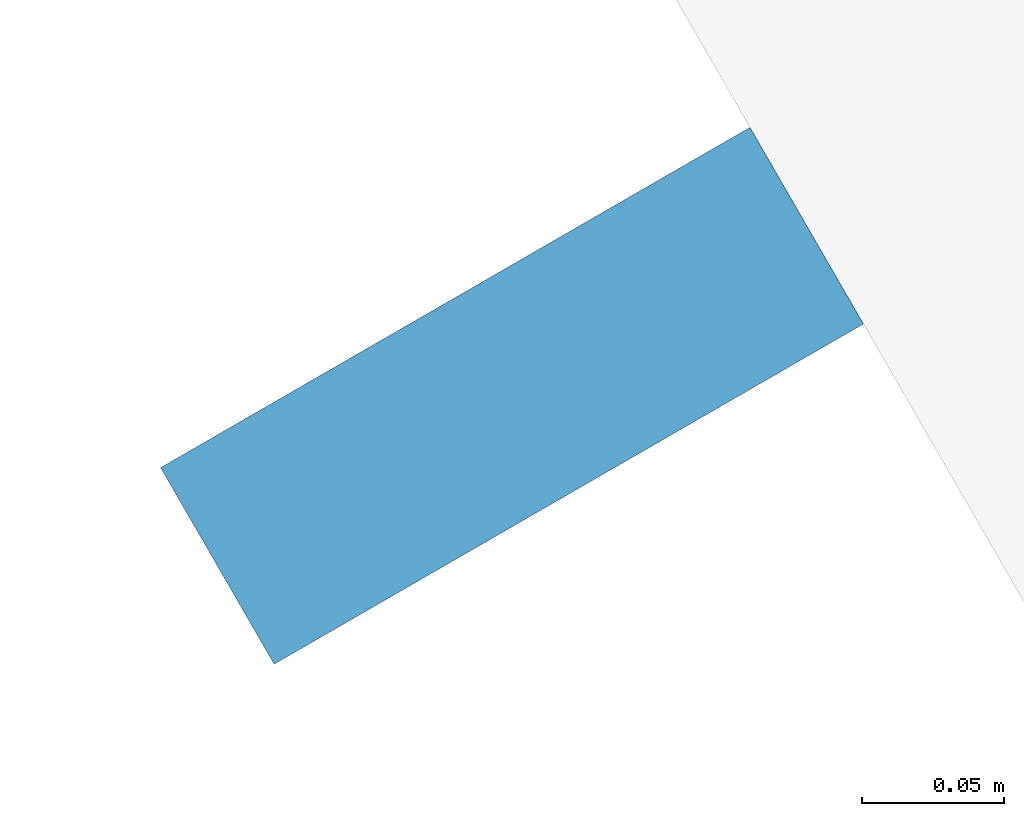
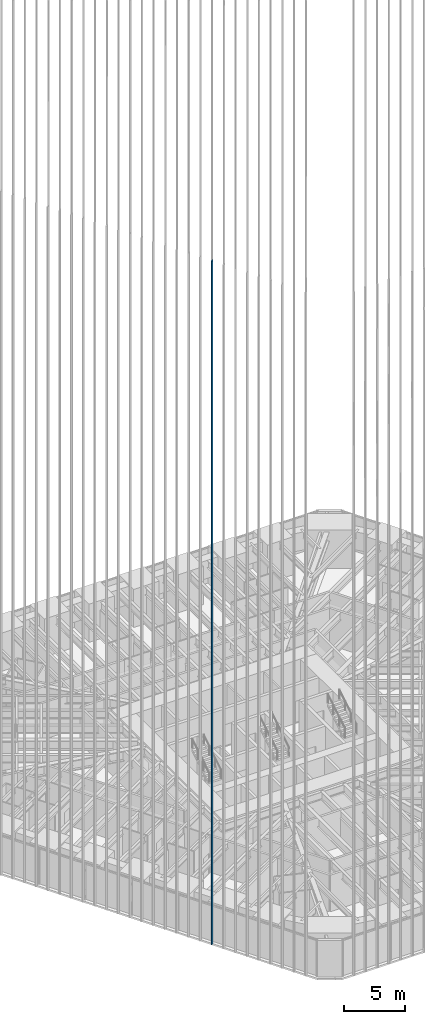
# One storey, part 5 of 256: 1 member, 1 element without a shape of its own.
"""IFC4 building model written with IfcOpenShell, lengths in metres."""

import ifcopenshell
import ifcopenshell.guid

model = None  # the IFC model being written
_history = None  # IfcOwnerHistory: only IFC2X3 demands one
_inside = {}  # id of a spatial element -> (the spatial element, [elements in it])
_under = {}  # id of a project, library or spatial element -> (it, [spatial elements below it])
_declared = {}  # id of a project -> (the project, [libraries it declares])
_typed = {}  # id of a type object -> (the type object, [elements of that type])
_made_of = {}  # id of a material, layer set ... -> (it, [elements and type objects made of it])


def new_model(schema):
    """Start an empty IFC model of exactly this schema.

    Asked for "IFC4X3", IfcOpenShell would pick the latest addendum, in which some entities
    have other attributes; the version numbers below select the first issue.
    IFC2X3 requires an IfcOwnerHistory on every rooted entity: one is made here for all.
    """
    global model, _history
    if schema == "IFC4X3":
        model = ifcopenshell.file(schema_version=(4, 3, 0, 0))
    else:
        model = ifcopenshell.file(schema=schema)
    _inside.clear()
    _under.clear()
    _declared.clear()
    _typed.clear()
    _made_of.clear()
    _history = None
    if model.schema == "IFC2X3":
        org = make("IfcOrganization", Name="unknown")
        user = make(
            "IfcPersonAndOrganization",
            ThePerson=make("IfcPerson", FamilyName="unknown"),
            TheOrganization=org,
        )
        app = make(
            "IfcApplication",
            ApplicationDeveloper=org,
            Version="unknown",
            ApplicationFullName="unknown",
            ApplicationIdentifier="unknown",
        )
        _history = make(
            "IfcOwnerHistory",
            OwningUser=user,
            OwningApplication=app,
            ChangeAction="ADDED",
            CreationDate=0,
        )
    return model


def make(cls, **values):
    """One entity of the class cls with the attributes given. An attribute that is None is left unset."""
    return model.create_entity(
        cls, **{name: value for name, value in values.items() if value is not None}
    )


def rooted(cls, **values):
    """An entity with a GlobalId (a new one), such as an element, a storey or a relation."""
    return make(cls, GlobalId=ifcopenshell.guid.new(), OwnerHistory=_history, **values)


def si_unit(unit_type, name, prefix=None):
    """IfcSIUnit, for example si_unit("LENGTHUNIT", "METRE", prefix="MILLI")."""
    return make("IfcSIUnit", UnitType=unit_type, Prefix=prefix, Name=name)


def assignment(units):
    """IfcUnitAssignment: the units of a project."""
    return None if units is None else make("IfcUnitAssignment", Units=units)


def point(xyz):
    """IfcCartesianPoint."""
    return None if xyz is None else make("IfcCartesianPoint", Coordinates=xyz)


def direction(xyz):
    """IfcDirection."""
    return None if xyz is None else make("IfcDirection", DirectionRatios=xyz)


def frame(location, z_axis=None, x_axis=None):
    """IfcAxis2Placement3D, a coordinate frame: its origin and axes. An axis left out is left unset."""
    return make(
        "IfcAxis2Placement3D",
        Location=point(location),
        Axis=direction(z_axis),
        RefDirection=direction(x_axis),
    )


def frame_2d(location, x_axis=None):
    """IfcAxis2Placement2D, a coordinate frame in the plane: its origin and x axis."""
    return make(
        "IfcAxis2Placement2D", Location=point(location), RefDirection=direction(x_axis)
    )


def origin():
    """The frame at (0, 0, 0) with its axes left unset."""
    return frame((0.0, 0.0, 0.0))


def origin_2d():
    """The frame at (0, 0) in the plane with its x axis left unset."""
    return frame_2d((0.0, 0.0))


def place(relative_to, where):
    """IfcLocalPlacement: puts the frame where relative to a parent placement (None: the world)."""
    return make(
        "IfcLocalPlacement", PlacementRelTo=relative_to, RelativePlacement=where
    )


def context(
    kind, dimensions, precision=None, world=None, true_north=None, identifier=None
):
    """IfcGeometricRepresentationContext, for example the 3D "Model" context."""
    return make(
        "IfcGeometricRepresentationContext",
        ContextIdentifier=identifier,
        ContextType=kind,
        CoordinateSpaceDimension=dimensions,
        Precision=precision,
        WorldCoordinateSystem=world,
        TrueNorth=true_north,
    )


def subcontext(parent, identifier, kind, view, scale=None):
    """IfcGeometricRepresentationSubContext, for example "Body" below "Model"."""
    return make(
        "IfcGeometricRepresentationSubContext",
        ContextIdentifier=identifier,
        ContextType=kind,
        ParentContext=parent,
        TargetScale=scale,
        TargetView=view,
    )


def project(units=None, contexts=None):
    """IfcProject with its units and contexts."""
    return rooted(
        "IfcProject",
        Name="project",
        RepresentationContexts=contexts,
        UnitsInContext=assignment(units),
    )


def spatial(cls, under=None, at=None, **own):
    """A site, building, storey or space (cls), placed at a placement, below another one or the project."""
    s = rooted(cls, ObjectPlacement=at, **own)
    if under is not None:
        _under.setdefault(under.id(), (under, []))[1].append(s)
    return s


def profile(cls, at=None, kind="AREA", **sizes):
    """A parametric profile (cls). Its sizes go by their IFC names, for example OverallWidth=200.0."""
    return make(cls, ProfileType=kind, Position=at, **sizes)


def rectangle(**sizes):
    """IfcRectangleProfileDef."""
    return profile("IfcRectangleProfileDef", **sizes)


def extrude(swept, where, along, depth):
    """IfcExtrudedAreaSolid: the profile swept, set in the frame where, extruded along a direction by depth."""
    return make(
        "IfcExtrudedAreaSolid",
        SweptArea=swept,
        Position=where,
        ExtrudedDirection=direction(along),
        Depth=depth,
    )


def shape(context_of_items, identifier, shape_type, items):
    """IfcShapeRepresentation: the items that make up one representation, for example the "Body"."""
    return make(
        "IfcShapeRepresentation",
        ContextOfItems=context_of_items,
        RepresentationIdentifier=identifier,
        RepresentationType=shape_type,
        Items=items,
    )


def material(Name=None, Category=None):
    """IfcMaterial."""
    return make("IfcMaterial", Name=Name, Category=Category)


def material_profile(
    of_material, cross_section, Name=None, Category=None, Priority=None
):
    """IfcMaterialProfile: a cross section and its material."""
    return make(
        "IfcMaterialProfile",
        Name=Name,
        Material=of_material,
        Profile=cross_section,
        Priority=Priority,
        Category=Category,
    )


def profile_set(profiles, Name=None, composite=None):
    """IfcMaterialProfileSet."""
    return make(
        "IfcMaterialProfileSet",
        Name=Name,
        MaterialProfiles=profiles,
        CompositeProfile=composite,
    )


def made_of(thing, what):
    """Note that an element or type object is made of a material, layer set ...; save() writes the relation."""
    if what is not None:
        _made_of.setdefault(what.id(), (what, []))[1].append(thing)
    return thing


def type_object(cls, material=None, **own):
    """A type object (cls), such as IfcWallType, which elements share."""
    return made_of(rooted(cls, **own), material)


def element(
    cls,
    number,
    at=None,
    inside=None,
    cuts=None,
    type_object=None,
    material=None,
    context=None,
    identifier="Body",
    shape_type=None,
    held_by="IfcProductDefinitionShape",
    body=None,
    shapes=None,
    **own,
):
    """One element of the class cls, such as IfcWall. Its Tag is "e" and its number.

    at: its placement. inside: the storey or other place that contains it. cuts: it is an
    opening in that element (IfcRelVoidsElement). A single representation is given by context,
    identifier, shape_type and body (its items); several are given by shapes. held_by: the class
    of the entity that holds the representations. save() writes the other relations.
    """
    e = rooted(cls, Tag="e%d" % number, ObjectPlacement=at, **own)
    if body is not None:
        shapes = [shape(context, identifier, shape_type, body)]
    if shapes is not None:
        e.Representation = make(held_by, Representations=shapes)
    if inside is not None:
        _inside.setdefault(inside.id(), (inside, []))[1].append(e)
    if cuts is not None:
        rooted(
            "IfcRelVoidsElement", RelatingBuildingElement=cuts, RelatedOpeningElement=e
        )
    if type_object is not None:
        _typed.setdefault(type_object.id(), (type_object, []))[1].append(e)
    return made_of(e, material)


def aggregate(whole, parts):
    """IfcRelAggregates: a whole, such as a stair, and the parts it consists of."""
    return rooted("IfcRelAggregates", RelatingObject=whole, RelatedObjects=parts)


def save(model, path):
    """Write the relations noted so far, then the file.

    IfcRelAggregates (storeys below a building ...), IfcRelContainedInSpatialStructure (elements
    in a storey), IfcRelDefinesByType, IfcRelAssociatesMaterial and IfcRelDeclares: one each for
    every whole, place, type object, material and project.
    """
    for whole, parts in _under.values():
        aggregate(whole, parts)
    for where, things in _inside.values():
        rooted(
            "IfcRelContainedInSpatialStructure",
            RelatedElements=things,
            RelatingStructure=where,
        )
    for kind, things in _typed.values():
        rooted("IfcRelDefinesByType", RelatedObjects=things, RelatingType=kind)
    for what, things in _made_of.values():
        rooted("IfcRelAssociatesMaterial", RelatedObjects=things, RelatingMaterial=what)
    for by, libraries in _declared.values():
        rooted("IfcRelDeclares", RelatingContext=by, RelatedDefinitions=libraries)
    model.write(path)


model = new_model("IFC4")

# Units and contexts
model_context = context("Model", 3, precision=1e-05, world=origin(), true_north=direction((0.0, 1.0)))
body_context = subcontext(model_context, "Body", "Model", "MODEL_VIEW")
ifc_project = project(units=[si_unit("LENGTHUNIT", "METRE"), si_unit("AREAUNIT", "SQUARE_METRE"), si_unit("VOLUMEUNIT", "CUBIC_METRE"), si_unit("PLANEANGLEUNIT", "RADIAN"), si_unit("MASSUNIT", "GRAM", prefix="KILO")], contexts=[model_context])

# Site, building, storey
site_placement = place(None, origin())
site = spatial("IfcSite", under=ifc_project, at=site_placement, CompositionType="ELEMENT")
building_placement = place(site_placement, origin())
building = spatial("IfcBuilding", under=site, at=building_placement, Name="Sandreach Pilgrim Tower", CompositionType="ELEMENT")
storey_placement = place(building_placement, frame((0.0, 0.0, 23.0)))
storey = spatial("IfcBuildingStorey", under=building, at=storey_placement, Name="L04", CompositionType="ELEMENT", Elevation=23.0)

# Curtain wall, member
ifc_material_1 = material(Name="Aluminium framed curtain wall", Category="aluminium")
curtain_wall_type = type_object("IfcCurtainWallType", Name="Hostel tower curtain wall", PredefinedType="NOTDEFINED", material=ifc_material_1)
curtain_wall_placement = place(storey_placement, origin())
curtain_wall = element("IfcCurtainWall", 1, at=curtain_wall_placement, inside=storey, type_object=curtain_wall_type, Name="CW-1 L04 SW", PredefinedType="NOTDEFINED")
ifc_material_2 = material(Name="Extruded terracotta on aluminium core", Category="masonry")
ifc_material_profile = material_profile(ifc_material_2, rectangle(XDim=0.080078125, YDim=0.239990234375, at=origin_2d()), Name="TBW 80X240")
ifc_profile_set = profile_set([ifc_material_profile], Name="Extruded terracotta on aluminium core")
member_type = type_object("IfcMemberType", Name="Terracotta baguette west", PredefinedType="USERDEFINED", material=ifc_profile_set)
member_placement = place(storey_placement, frame((-16.125244140625, -20.8076171875, 0.0), z_axis=(0.0, 0.0, 1.0), x_axis=(-0.5, 0.866025403784, 0.0)))
member = element("IfcMember", 2, at=member_placement, type_object=member_type, Name="Baguette Z1 SW09", ObjectType="BAGUETTE", PredefinedType="USERDEFINED", context=body_context, shape_type="SweptSolid", body=[
    extrude(rectangle(XDim=0.080078125, YDim=0.239990234375, at=origin_2d()), origin(), (0.0, 0.0, 1.0), 68.239990234375),
])
aggregate(curtain_wall, [member])

save(model, "model.ifc")
